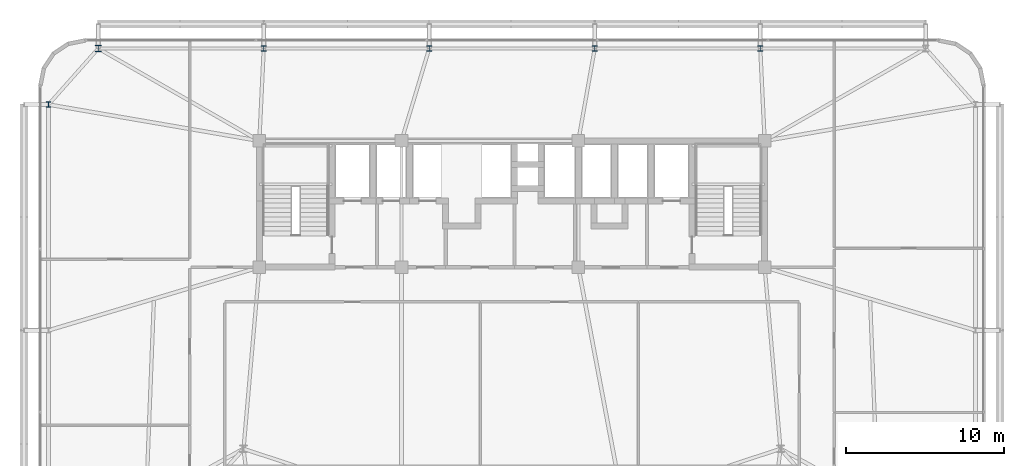
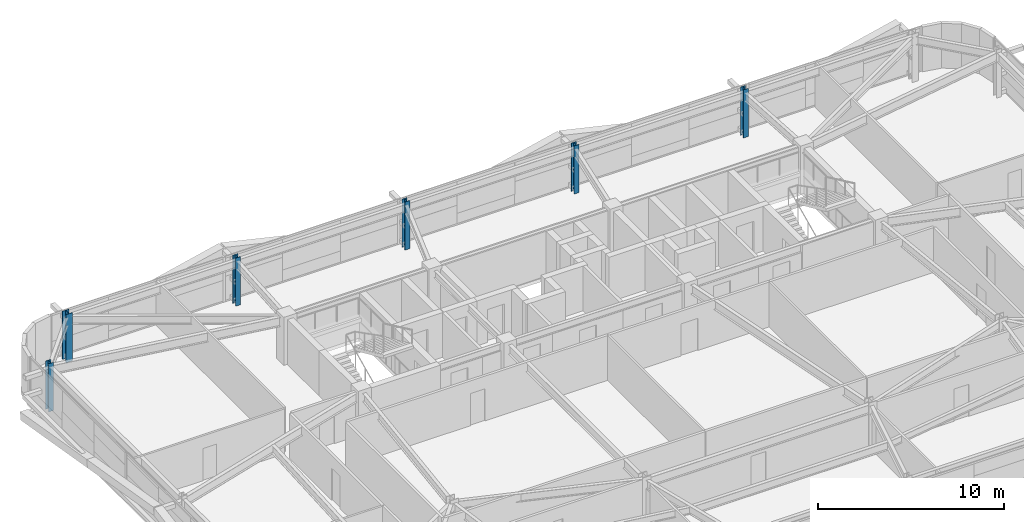
# One storey, part 3 of 44: 6 columns.
"""IFC4 building model written with IfcOpenShell, lengths in metres."""

from ifc_helpers import new_model, si_unit, direction, frame, origin, origin_2d, place, context, subcontext, project, spatial, i_section, extrude, source, transform, mapped, material, material_profile, profile_set, type_object, element, save


model = new_model("IFC4")

# Units and contexts
model_context = context("Model", 3, precision=1e-05, world=origin(), true_north=direction((0.0, 1.0)))
body_context = subcontext(model_context, "Body", "Model", "MODEL_VIEW")
ifc_project = project(units=[si_unit("LENGTHUNIT", "METRE"), si_unit("AREAUNIT", "SQUARE_METRE"), si_unit("VOLUMEUNIT", "CUBIC_METRE"), si_unit("PLANEANGLEUNIT", "RADIAN"), si_unit("MASSUNIT", "GRAM", prefix="KILO")], contexts=[model_context])

# Site, building, storey
site_placement = place(None, origin())
site = spatial("IfcSite", under=ifc_project, at=site_placement, CompositionType="ELEMENT")
building_placement = place(site_placement, origin())
building = spatial("IfcBuilding", under=site, at=building_placement, Name="Taldren Reach Tower", CompositionType="ELEMENT")
storey_placement = place(building_placement, frame((0.0, 0.0, 42.0)))
storey = spatial("IfcBuildingStorey", under=building, at=storey_placement, Name="L12", CompositionType="ELEMENT", Elevation=42.0)

# Columns
ifc_material = material(Name="Steel Gr 350 (350PLUS)", Category="steel")
ifc_material_profile_1 = material_profile(ifc_material, i_section(OverallWidth=0.39990234375, OverallDepth=0.39599609375, WebThickness=0.02197265625, FlangeThickness=0.033935546875, at=origin_2d()), Name="400WC270")
ifc_profile_set_1 = profile_set([ifc_material_profile_1], Name="Steel Gr 350 (350PLUS)")
column_type_1 = type_object("IfcColumnType", Name="COL-WC400", PredefinedType="COLUMN", material=ifc_profile_set_1)
shared_shape_1 = source(origin(), body_context, "Body", "SweptSolid", [
    extrude(i_section(OverallWidth=0.39990234375, OverallDepth=0.39599609375, WebThickness=0.02197265625, FlangeThickness=0.033935546875, at=origin_2d()), origin(), (0.0, 0.0, 1.0), 3.14990234375),
])
column_placement = place(storey_placement, frame((8.800048828125, 37.85009765625, 0.0), z_axis=(0.0, 0.0, 1.0), x_axis=(1.0, 0.0, 0.0)))
element("IfcColumn", 1, at=column_placement, inside=storey, type_object=column_type_1, Name="Block B1 perimeter column N1 L12", PredefinedType="COLUMN", context=body_context, shape_type="MappedRepresentation", body=[
    mapped(shared_shape_1, transform((0.0, 0.0, 0.0), scale=1.0)),
])
ifc_material_profile_2 = material_profile(ifc_material, i_section(OverallWidth=0.31103515625, OverallDepth=0.326904296875, WebThickness=0.015625, FlangeThickness=0.02490234375, at=origin_2d()), Name="310UC158")
ifc_profile_set_2 = profile_set([ifc_material_profile_2], Name="Steel Gr 350 (350PLUS)")
column_type_2 = type_object("IfcColumnType", Name="COL-UC310A", PredefinedType="COLUMN", material=ifc_profile_set_2)
shared_shape_2 = source(origin(), body_context, "Body", "SweptSolid", [
    extrude(i_section(OverallWidth=0.31103515625, OverallDepth=0.326904296875, WebThickness=0.015625, FlangeThickness=0.02490234375, at=origin_2d()), origin(), (0.0, 0.0, 1.0), 3.14990234375),
])
for number, where, z_axis, x_axis, name in (
    (2, (19.280029296875, 37.85009765625, 0.0), (0.0, 0.0, 1.0), (1.0, 0.0, 0.0), "Block B1 perimeter column N2 L12"),
    (3, (29.760009765625, 37.85009765625, 0.0), (0.0, 0.0, 1.0), (1.0, 0.0, 0.0), "Block B1 perimeter column N3 L12"),
    (4, (40.239990234375, 37.85009765625, 0.0), (0.0, 0.0, 1.0), (1.0, 0.0, 0.0), "Block B1 perimeter column N4 L12"),
    (5, (50.719970703125, 37.85009765625, 0.0), (0.0, 0.0, 1.0), (1.0, 0.0, 0.0), "Block B1 perimeter column N5 L12"),
    (6, (5.64990234375, 34.300048828125, 0.0), (0.0, 0.0, 1.0), (1.0, 0.0, 0.0), "Block B1 perimeter column W3 L12"),
):
    element("IfcColumn", number, at=place(storey_placement, frame(where, z_axis=z_axis, x_axis=x_axis)), inside=storey, type_object=column_type_2, Name=name, PredefinedType="COLUMN", context=body_context, shape_type="MappedRepresentation", body=[
        mapped(shared_shape_2, transform((0.0, 0.0, 0.0), scale=1.0)),
    ])

save(model, "model.ifc")
